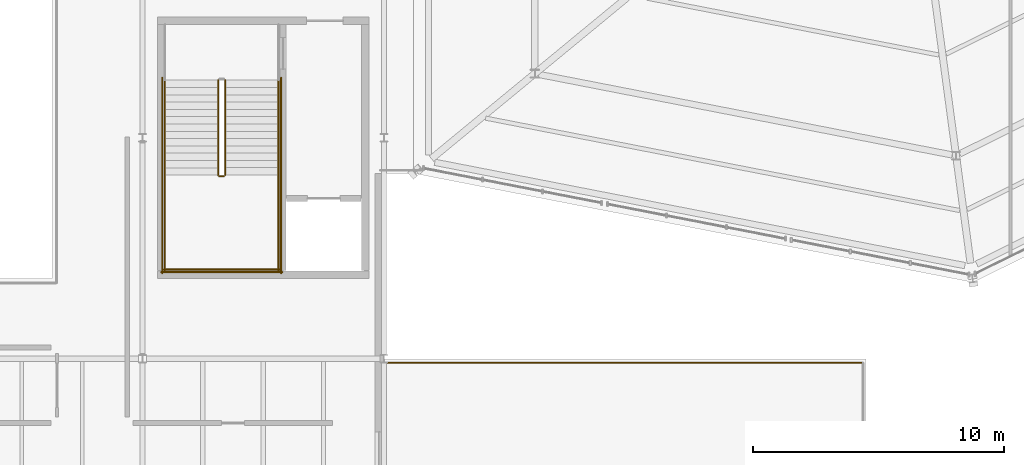
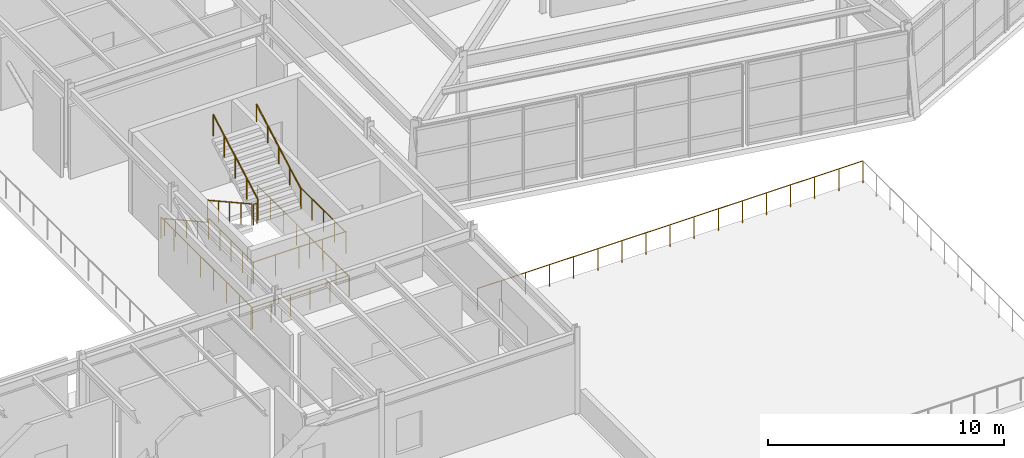
# One storey, part 62 of 69: 12 railings.
"""IFC4 building model written with IfcOpenShell, lengths in metres."""

from ifc_helpers import new_model, si_unit, direction, frame, origin, origin_2d, place, context, subcontext, project, spatial, circle, extrude, material, layer, layer_set, type_object, element, save


model = new_model("IFC4")

# Units and contexts
model_context = context("Model", 3, precision=1e-05, world=origin(), true_north=direction((0.0, 1.0)))
body_context = subcontext(model_context, "Body", "Model", "MODEL_VIEW")
ifc_project = project(units=[si_unit("LENGTHUNIT", "METRE"), si_unit("AREAUNIT", "SQUARE_METRE"), si_unit("VOLUMEUNIT", "CUBIC_METRE"), si_unit("PLANEANGLEUNIT", "RADIAN"), si_unit("MASSUNIT", "GRAM", prefix="KILO")], contexts=[model_context])

# Site, building, storey
site_placement = place(None, origin())
site = spatial("IfcSite", under=ifc_project, at=site_placement, CompositionType="ELEMENT")
building_placement = place(site_placement, origin())
building = spatial("IfcBuilding", under=site, at=building_placement, Name="Sarnbrook Museum", CompositionType="ELEMENT")
storey_placement = place(building_placement, frame((0.0, 0.0, 14.60009765625)))
storey = spatial("IfcBuildingStorey", under=building, at=storey_placement, Name="L03", CompositionType="ELEMENT", Elevation=14.60009765625)

# Railings
ifc_material_1 = material(Name="Brushed Stainless Steel Grade 316", Category="steel")
ifc_layer_1 = layer(ifc_material_1, 0.050048828125)
ifc_layer_set_1 = layer_set([ifc_layer_1], Name="Brushed Stainless Steel Grade 316")
railing_type_1 = type_object("IfcRailingType", Name="Guard_Int1120", PredefinedType="BALUSTRADE", material=ifc_layer_set_1)
railing_1_placement = place(storey_placement, frame((112.610107421875, 67.8798828125, 0.16064453125)))
element("IfcRailing", 1, at=railing_1_placement, inside=storey, type_object=railing_type_1, Name="L03 ST1 stair guard 1", PredefinedType="BALUSTRADE", context=body_context, shape_type="SweptSolid", body=[
    extrude(circle(Radius=0.02392578125, at=origin_2d()), frame((0.0, 0.0, 1.09619140625), z_axis=(0.0, -0.874645791573, 0.484762559697), x_axis=(1.0, 0.0, 0.0)), (0.0, 0.0, 1.0), 4.31005859375),
    extrude(circle(Radius=0.02099609375, at=origin_2d()), origin(), (0.0, 0.0, 1.0), 1.072021484375),
    extrude(circle(Radius=0.02099609375, at=origin_2d()), frame((0.0, -0.9423828125, 0.5224609375)), (0.0, 0.0, 1.0), 1.072021484375),
    extrude(circle(Radius=0.02099609375, at=origin_2d()), frame((0.0, -1.884765625, 1.044677734375)), (0.0, 0.0, 1.0), 1.072021484375),
    extrude(circle(Radius=0.02099609375, at=origin_2d()), frame((0.0, -2.827392578125, 1.56689453125)), (0.0, 0.0, 1.0), 1.072021484375),
    extrude(circle(Radius=0.02099609375, at=origin_2d()), frame((0.0, -3.769775390625, 2.08935546875)), (0.0, 0.0, 1.0), 1.072021484375),
])
railing_2_placement = place(storey_placement, frame((112.659912109375, 64.06005859375, 2.25)))
element("IfcRailing", 2, at=railing_2_placement, inside=storey, type_object=railing_type_1, Name="L03 ST1 stair guard 2", PredefinedType="BALUSTRADE", context=body_context, shape_type="SweptSolid", body=[
    extrude(circle(Radius=0.02392578125, at=origin_2d()), frame((0.0, 0.0, 1.09619140625), z_axis=(1.0, 0.0, 0.0), x_axis=(0.0, 1.0, 0.0)), (0.0, 0.0, 1.0), 0.18017578125),
    extrude(circle(Radius=0.02099609375, at=origin_2d()), origin(), (0.0, 0.0, 1.0), 1.072021484375),
    extrude(circle(Radius=0.02099609375, at=origin_2d()), frame((0.18017578125, 0.0, 0.0)), (0.0, 0.0, 1.0), 1.072021484375),
])
for number, where, name in (
    (3, (110.489990234375, 64.110107421875, 2.25), "L03 ST1 stair guard 3"),
    (4, (115.010009765625, 64.110107421875, 2.25), "L03 ST1 stair guard 4"),
):
    element("IfcRailing", number, at=place(storey_placement, frame(where)), inside=storey, type_object=railing_type_1, Name=name, PredefinedType="BALUSTRADE", context=body_context, shape_type="SweptSolid", body=[
        extrude(circle(Radius=0.02392578125, at=origin_2d()), frame((0.0, 0.0, 1.09619140625), z_axis=(0.0, -1.0, 0.0), x_axis=(1.0, 0.0, 0.0)), (0.0, 0.0, 1.0), 3.81005859375),
        extrude(circle(Radius=0.02099609375, at=origin_2d()), origin(), (0.0, 0.0, 1.0), 1.072021484375),
        extrude(circle(Radius=0.02099609375, at=origin_2d()), frame((0.0, -0.95263671875, 0.0)), (0.0, 0.0, 1.0), 1.072021484375),
        extrude(circle(Radius=0.02099609375, at=origin_2d()), frame((0.0, -1.905029296875, 0.0)), (0.0, 0.0, 1.0), 1.072021484375),
        extrude(circle(Radius=0.02099609375, at=origin_2d()), frame((0.0, -2.857421875, 0.0)), (0.0, 0.0, 1.0), 1.072021484375),
        extrude(circle(Radius=0.02099609375, at=origin_2d()), frame((0.0, -3.81005859375, 0.0)), (0.0, 0.0, 1.0), 1.072021484375),
    ])
railing_3_placement = place(storey_placement, frame((110.43994140625, 60.35009765625, 2.25)))
element("IfcRailing", 5, at=railing_3_placement, inside=storey, type_object=railing_type_1, Name="L03 ST1 stair guard 5", PredefinedType="BALUSTRADE", context=body_context, shape_type="SweptSolid", body=[
    extrude(circle(Radius=0.02392578125, at=origin_2d()), frame((0.0, 0.0, 1.09619140625), z_axis=(1.0, 0.0, 0.0), x_axis=(0.0, 1.0, 0.0)), (0.0, 0.0, 1.0), 4.6201171875),
    extrude(circle(Radius=0.02099609375, at=origin_2d()), origin(), (0.0, 0.0, 1.0), 1.072021484375),
    extrude(circle(Radius=0.02099609375, at=origin_2d()), frame((1.155029296875, 0.0, 0.0)), (0.0, 0.0, 1.0), 1.072021484375),
    extrude(circle(Radius=0.02099609375, at=origin_2d()), frame((2.31005859375, 0.0, 0.0)), (0.0, 0.0, 1.0), 1.072021484375),
    extrude(circle(Radius=0.02099609375, at=origin_2d()), frame((3.465087890625, 0.0, 0.0)), (0.0, 0.0, 1.0), 1.072021484375),
    extrude(circle(Radius=0.02099609375, at=origin_2d()), frame((4.6201171875, 0.0, 0.0)), (0.0, 0.0, 1.0), 1.072021484375),
])
railing_4_placement = place(storey_placement, frame((112.889892578125, 64.110107421875, 2.41064453125)))
element("IfcRailing", 6, at=railing_4_placement, inside=storey, type_object=railing_type_1, Name="L03 ST1 stair guard 6", PredefinedType="BALUSTRADE", context=body_context, shape_type="SweptSolid", body=[
    extrude(circle(Radius=0.02392578125, at=origin_2d()), frame((0.0, 0.0, 1.09619140625), z_axis=(0.0, 0.874645791573, 0.484762559697), x_axis=(-1.0, 0.0, 0.0)), (0.0, 0.0, 1.0), 4.31005859375),
    extrude(circle(Radius=0.02099609375, at=origin_2d()), origin(), (0.0, 0.0, 1.0), 1.072021484375),
    extrude(circle(Radius=0.02099609375, at=origin_2d()), frame((0.0, 0.9423828125, 0.5224609375)), (0.0, 0.0, 1.0), 1.072021484375),
    extrude(circle(Radius=0.02099609375, at=origin_2d()), frame((0.0, 1.884765625, 1.044677734375)), (0.0, 0.0, 1.0), 1.072021484375),
    extrude(circle(Radius=0.02099609375, at=origin_2d()), frame((0.0, 2.827392578125, 1.56689453125)), (0.0, 0.0, 1.0), 1.072021484375),
    extrude(circle(Radius=0.02099609375, at=origin_2d()), frame((0.0, 3.769775390625, 2.08935546875)), (0.0, 0.0, 1.0), 1.072021484375),
])
for number, where, name in (
    (7, (110.389892578125, 67.97998046875, 0.0), "L03 ST1 stair guard 10"),
    (8, (115.110107421875, 67.97998046875, 0.0), "L03 ST1 stair guard 11"),
):
    element("IfcRailing", number, at=place(storey_placement, frame(where)), inside=storey, type_object=railing_type_1, Name=name, PredefinedType="BALUSTRADE", context=body_context, shape_type="SweptSolid", body=[
        extrude(circle(Radius=0.02392578125, at=origin_2d()), frame((0.0, 0.0, 1.09619140625), z_axis=(0.0, -1.0, 0.0), x_axis=(1.0, 0.0, 0.0)), (0.0, 0.0, 1.0), 7.780029296875),
        extrude(circle(Radius=0.02099609375, at=origin_2d()), origin(), (0.0, 0.0, 1.0), 1.072021484375),
        extrude(circle(Radius=0.02099609375, at=origin_2d()), frame((0.0, -1.111328125, 0.0)), (0.0, 0.0, 1.0), 1.072021484375),
        extrude(circle(Radius=0.02099609375, at=origin_2d()), frame((0.0, -2.222900390625, 0.0)), (0.0, 0.0, 1.0), 1.072021484375),
        extrude(circle(Radius=0.02099609375, at=origin_2d()), frame((0.0, -3.334228515625, 0.0)), (0.0, 0.0, 1.0), 1.072021484375),
        extrude(circle(Radius=0.02099609375, at=origin_2d()), frame((0.0, -4.44580078125, 0.0)), (0.0, 0.0, 1.0), 1.072021484375),
        extrude(circle(Radius=0.02099609375, at=origin_2d()), frame((0.0, -5.55712890625, 0.0)), (0.0, 0.0, 1.0), 1.072021484375),
        extrude(circle(Radius=0.02099609375, at=origin_2d()), frame((0.0, -6.668701171875, 0.0)), (0.0, 0.0, 1.0), 1.072021484375),
        extrude(circle(Radius=0.02099609375, at=origin_2d()), frame((0.0, -7.780029296875, 0.0)), (0.0, 0.0, 1.0), 1.072021484375),
    ])
railing_5_placement = place(storey_placement, frame((110.340087890625, 60.25, 0.0)))
element("IfcRailing", 9, at=railing_5_placement, inside=storey, type_object=railing_type_1, Name="L03 ST1 stair guard 12", PredefinedType="BALUSTRADE", context=body_context, shape_type="SweptSolid", body=[
    extrude(circle(Radius=0.02392578125, at=origin_2d()), frame((0.0, 0.0, 1.09619140625), z_axis=(1.0, 0.0, 0.0), x_axis=(0.0, 1.0, 0.0)), (0.0, 0.0, 1.0), 4.81982421875),
    extrude(circle(Radius=0.02099609375, at=origin_2d()), origin(), (0.0, 0.0, 1.0), 1.072021484375),
    extrude(circle(Radius=0.02099609375, at=origin_2d()), frame((0.9638671875, 0.0, 0.0)), (0.0, 0.0, 1.0), 1.072021484375),
    extrude(circle(Radius=0.02099609375, at=origin_2d()), frame((1.927978515625, 0.0, 0.0)), (0.0, 0.0, 1.0), 1.072021484375),
    extrude(circle(Radius=0.02099609375, at=origin_2d()), frame((2.891845703125, 0.0, 0.0)), (0.0, 0.0, 1.0), 1.072021484375),
    extrude(circle(Radius=0.02099609375, at=origin_2d()), frame((3.85595703125, 0.0, 0.0)), (0.0, 0.0, 1.0), 1.072021484375),
    extrude(circle(Radius=0.02099609375, at=origin_2d()), frame((4.81982421875, 0.0, 0.0)), (0.0, 0.0, 1.0), 1.072021484375),
])
ifc_material_2 = material(Name="Patinated Architectural Bronze")
railing_type_2 = type_object("IfcRailingType", Name="Guardrail_Terrace1150", PredefinedType="GUARDRAIL", material=ifc_material_2)
railing_6_placement = place(storey_placement, frame((138.25, 56.64990234375, 0.0)))
element("IfcRailing", 10, at=railing_6_placement, inside=storey, type_object=railing_type_2, Name="East Roof Garden Terrace Guardrail L03-3", PredefinedType="GUARDRAIL", context=body_context, shape_type="SweptSolid", body=[
    extrude(circle(Radius=0.02392578125, at=origin_2d()), frame((0.0, 0.0, 1.1259765625), z_axis=(-1.0, 0.0, 0.0), x_axis=(0.0, -1.0, 0.0)), (0.0, 0.0, 1.0), 18.89990234375),
    extrude(circle(Radius=0.02099609375, at=origin_2d()), origin(), (0.0, 0.0, 1.0), 1.101806640625),
    extrude(circle(Radius=0.02099609375, at=origin_2d()), frame((-1.18115234375, 0.0, 0.0)), (0.0, 0.0, 1.0), 1.101806640625),
    extrude(circle(Radius=0.02099609375, at=origin_2d()), frame((-2.362548828125, 0.0, 0.0)), (0.0, 0.0, 1.0), 1.101806640625),
    extrude(circle(Radius=0.02099609375, at=origin_2d()), frame((-3.543701171875, 0.0, 0.0)), (0.0, 0.0, 1.0), 1.101806640625),
    extrude(circle(Radius=0.02099609375, at=origin_2d()), frame((-4.72509765625, 0.0, 0.0)), (0.0, 0.0, 1.0), 1.101806640625),
    extrude(circle(Radius=0.02099609375, at=origin_2d()), frame((-5.90625, 0.0, 0.0)), (0.0, 0.0, 1.0), 1.101806640625),
    extrude(circle(Radius=0.02099609375, at=origin_2d()), frame((-7.08740234375, 0.0, 0.0)), (0.0, 0.0, 1.0), 1.101806640625),
    extrude(circle(Radius=0.02099609375, at=origin_2d()), frame((-8.268798828125, 0.0, 0.0)), (0.0, 0.0, 1.0), 1.101806640625),
    extrude(circle(Radius=0.02099609375, at=origin_2d()), frame((-9.449951171875, 0.0, 0.0)), (0.0, 0.0, 1.0), 1.101806640625),
    extrude(circle(Radius=0.02099609375, at=origin_2d()), frame((-10.631103515625, 0.0, 0.0)), (0.0, 0.0, 1.0), 1.101806640625),
    extrude(circle(Radius=0.02099609375, at=origin_2d()), frame((-11.8125, 0.0, 0.0)), (0.0, 0.0, 1.0), 1.101806640625),
    extrude(circle(Radius=0.02099609375, at=origin_2d()), frame((-12.99365234375, 0.0, 0.0)), (0.0, 0.0, 1.0), 1.101806640625),
    extrude(circle(Radius=0.02099609375, at=origin_2d()), frame((-14.1748046875, 0.0, 0.0)), (0.0, 0.0, 1.0), 1.101806640625),
    extrude(circle(Radius=0.02099609375, at=origin_2d()), frame((-15.356201171875, 0.0, 0.0)), (0.0, 0.0, 1.0), 1.101806640625),
    extrude(circle(Radius=0.02099609375, at=origin_2d()), frame((-16.537353515625, 0.0, 0.0)), (0.0, 0.0, 1.0), 1.101806640625),
    extrude(circle(Radius=0.02099609375, at=origin_2d()), frame((-17.71875, 0.0, 0.0)), (0.0, 0.0, 1.0), 1.101806640625),
    extrude(circle(Radius=0.02099609375, at=origin_2d()), frame((-18.89990234375, 0.0, 0.0)), (0.0, 0.0, 1.0), 1.101806640625),
])
ifc_layer_2 = layer(ifc_material_1, 0.048095703125)
ifc_layer_set_2 = layer_set([ifc_layer_2], Name="Brushed Stainless Steel Grade 316")
railing_type_3 = type_object("IfcRailingType", Name="Handrail_920", PredefinedType="HANDRAIL", material=ifc_layer_set_2)
railing_7_placement = place(storey_placement, frame((110.489990234375, 67.8798828125, 0.16064453125)))
element("IfcRailing", 11, at=railing_7_placement, inside=storey, type_object=railing_type_3, Name="L03 ST1 stair handrail 1", PredefinedType="HANDRAIL", context=body_context, shape_type="SweptSolid", body=[
    extrude(circle(Radius=0.02392578125, at=origin_2d()), frame((0.0, 0.0, 0.8857421875), z_axis=(0.0, -0.874645791573, 0.484762559697), x_axis=(1.0, 0.0, 0.0)), (0.0, 0.0, 1.0), 4.31005859375),
    extrude(circle(Radius=0.02099609375, at=origin_2d()), origin(), (0.0, 0.0, 1.0), 0.86181640625),
    extrude(circle(Radius=0.02099609375, at=origin_2d()), frame((0.0, -0.9423828125, 0.5224609375)), (0.0, 0.0, 1.0), 0.86181640625),
    extrude(circle(Radius=0.02099609375, at=origin_2d()), frame((0.0, -1.884765625, 1.044677734375)), (0.0, 0.0, 1.0), 0.86181640625),
    extrude(circle(Radius=0.02099609375, at=origin_2d()), frame((0.0, -2.827392578125, 1.56689453125)), (0.0, 0.0, 1.0), 0.86181640625),
    extrude(circle(Radius=0.02099609375, at=origin_2d()), frame((0.0, -3.769775390625, 2.08935546875)), (0.0, 0.0, 1.0), 0.86181640625),
])
railing_8_placement = place(storey_placement, frame((115.010009765625, 64.110107421875, 2.41064453125)))
element("IfcRailing", 12, at=railing_8_placement, inside=storey, type_object=railing_type_3, Name="L03 ST1 stair handrail 2", PredefinedType="HANDRAIL", context=body_context, shape_type="SweptSolid", body=[
    extrude(circle(Radius=0.02392578125, at=origin_2d()), frame((0.0, 0.0, 0.8857421875), z_axis=(0.0, 0.874645791573, 0.484762559697), x_axis=(-1.0, 0.0, 0.0)), (0.0, 0.0, 1.0), 4.31005859375),
    extrude(circle(Radius=0.02099609375, at=origin_2d()), origin(), (0.0, 0.0, 1.0), 0.86181640625),
    extrude(circle(Radius=0.02099609375, at=origin_2d()), frame((0.0, 0.9423828125, 0.5224609375)), (0.0, 0.0, 1.0), 0.86181640625),
    extrude(circle(Radius=0.02099609375, at=origin_2d()), frame((0.0, 1.884765625, 1.044677734375)), (0.0, 0.0, 1.0), 0.86181640625),
    extrude(circle(Radius=0.02099609375, at=origin_2d()), frame((0.0, 2.827392578125, 1.56689453125)), (0.0, 0.0, 1.0), 0.86181640625),
    extrude(circle(Radius=0.02099609375, at=origin_2d()), frame((0.0, 3.769775390625, 2.08935546875)), (0.0, 0.0, 1.0), 0.86181640625),
])

save(model, "model.ifc")
